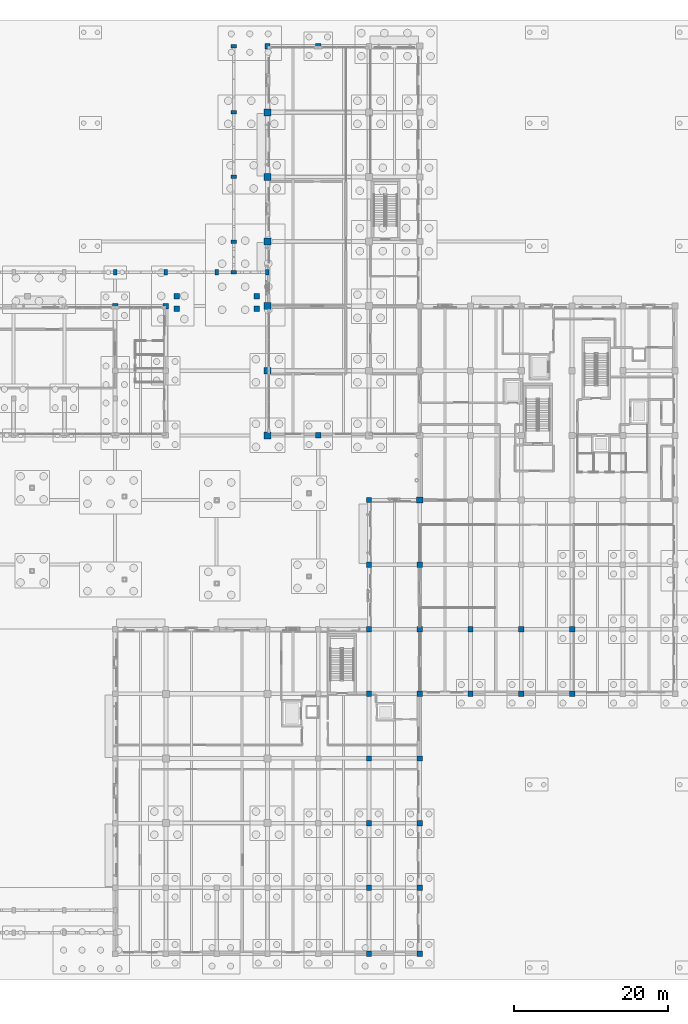
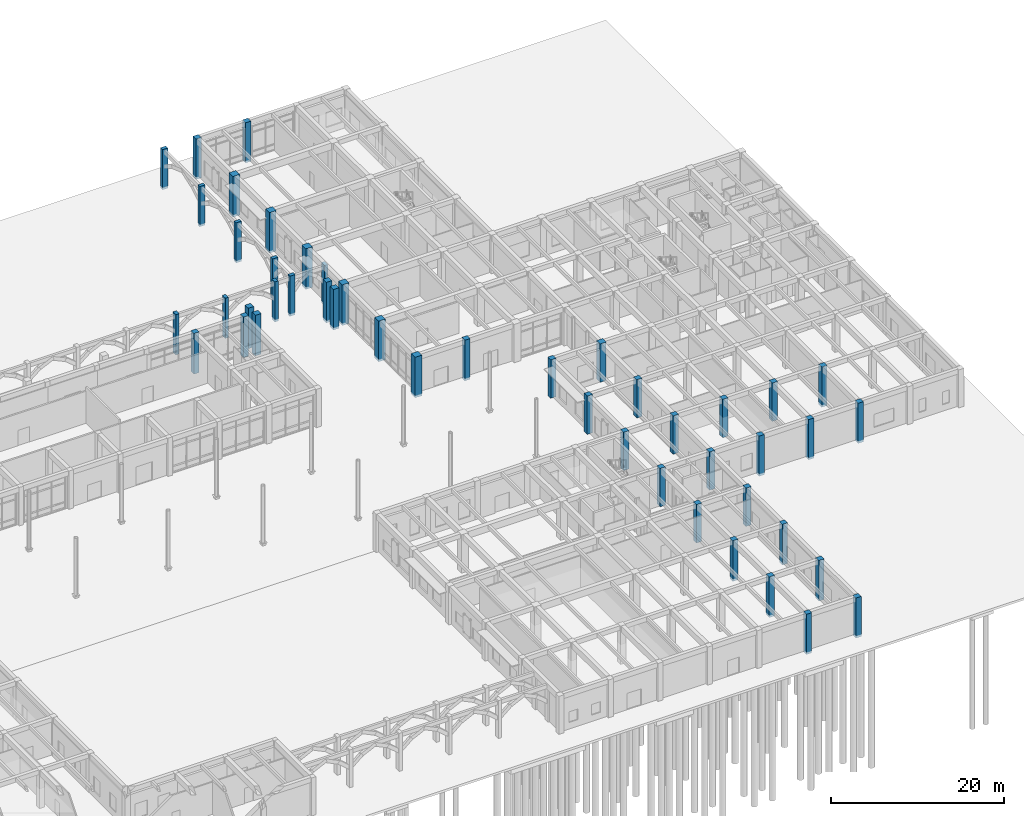
# One storey, part 17 of 82: 46 columns.
"""IFC4 building model written with IfcOpenShell, lengths in metres."""

from ifc_helpers import new_model, si_unit, direction, frame, origin, origin_2d, place, context, subcontext, project, spatial, rectangle, extrude, material, material_profile, profile_set, type_object, element, save


model = new_model("IFC4")

# Units and contexts
model_context = context("Model", 3, precision=1e-05, world=origin(), true_north=direction((0.0, 1.0)))
body_context = subcontext(model_context, "Body", "Model", "MODEL_VIEW")
ifc_project = project(units=[si_unit("LENGTHUNIT", "METRE"), si_unit("AREAUNIT", "SQUARE_METRE"), si_unit("VOLUMEUNIT", "CUBIC_METRE"), si_unit("PLANEANGLEUNIT", "RADIAN"), si_unit("MASSUNIT", "GRAM", prefix="KILO")], contexts=[model_context])

# Site, building, storey
site_placement = place(None, origin())
site = spatial("IfcSite", under=ifc_project, at=site_placement, CompositionType="ELEMENT")
building_placement = place(site_placement, origin())
building = spatial("IfcBuilding", under=site, at=building_placement, Name="Kolvaren Faculty of Natural Sciences", CompositionType="ELEMENT")
storey_placement = place(building_placement, origin())
storey = spatial("IfcBuildingStorey", under=building, at=storey_placement, Name="L00", CompositionType="ELEMENT", Elevation=0.0)

# Columns
ifc_material_1 = material(Name="Concrete C40/50", Category="concrete")
ifc_material_profile_1 = material_profile(ifc_material_1, rectangle(XDim=0.89990234375, YDim=0.89990234375, at=origin_2d()), Name="RC COL 900x900")
ifc_profile_set_1 = profile_set([ifc_material_profile_1], Name="Concrete C40/50")
column_type_1 = type_object("IfcColumnType", Name="MegaColumn_900x900", PredefinedType="COLUMN", material=ifc_profile_set_1)
for number, where, z_axis, x_axis, name in (
    (1, (119.0, 67.39990234375, -0.320068359375), (0.0, 0.0, 1.0), (1.0, 0.0, 0.0), "L00 column MC-1 at 19/J"),
    (2, (119.0, 75.800048828125, -0.320068359375), (0.0, 0.0, 1.0), (1.0, 0.0, 0.0), "L00 column MC-1 at 19/K"),
    (3, (119.0, 84.199951171875, -0.320068359375), (0.0, 0.0, 1.0), (1.0, 0.0, 0.0), "L00 column MC-1 at 19/L"),
    (4, (119.0, 92.60009765625, -0.320068359375), (0.0, 0.0, 1.0), (1.0, 0.0, 0.0), "L00 column MC-1 at 19/M"),
    (5, (119.0, 101.0, -0.320068359375), (0.0, 0.0, 1.0), (1.0, 0.0, 0.0), "L00 column MC-1 at 19/N"),
    (6, (119.0, 109.39990234375, -0.320068359375), (0.0, 0.0, 1.0), (1.0, 0.0, 0.0), "L00 column MC-1 at 19/P"),
):
    element("IfcColumn", number, at=place(storey_placement, frame(where, z_axis=z_axis, x_axis=x_axis)), inside=storey, type_object=column_type_1, Name=name, PredefinedType="COLUMN", context=body_context, shape_type="SweptSolid", body=[
        extrude(rectangle(XDim=0.89990234375, YDim=0.89990234375, at=origin_2d()), origin(), (0.0, 0.0, 1.0), 5.719970703125),
    ])
ifc_material_2 = material(Name="Concrete C35/45", Category="concrete")
ifc_material_profile_2 = material_profile(ifc_material_2, rectangle(XDim=0.449951171875, YDim=0.699951171875, at=origin_2d()), Name="RC PIL 450x700")
ifc_profile_set_2 = profile_set([ifc_material_profile_2], Name="Concrete C35/45")
column_type_2 = type_object("IfcColumnType", Name="RiwaqPilaster_450x700", PredefinedType="PILASTER", material=ifc_profile_set_2)
for number, where, z_axis, x_axis, name in (
    (7, (99.199951171875, 88.60009765625, -0.320068359375), (0.0, 0.0, 1.0), (1.0, 0.0, 0.0), "Riwaq colonnade pilaster PL-45 S-16"),
    (8, (105.800048828125, 88.60009765625, -0.320068359375), (0.0, 0.0, 1.0), (1.0, 0.0, 0.0), "Riwaq colonnade pilaster PL-45 S-17"),
    (9, (112.39990234375, 88.60009765625, -0.320068359375), (0.0, 0.0, 1.0), (1.0, 0.0, 0.0), "Riwaq colonnade pilaster PL-45 S-18"),
    (10, (119.0, 88.60009765625, -0.320068359375), (0.0, 0.0, 1.0), (1.0, 0.0, 0.0), "Riwaq colonnade pilaster PL-45 S-19"),
    (11, (114.60009765625, 88.60009765625, -0.320068359375), (0.0, 0.0, 1.0), (0.0, 1.0, 0.0), "Riwaq colonnade pilaster PL-45 E-COR"),
    (12, (114.60009765625, 92.60009765625, -0.320068359375), (0.0, 0.0, 1.0), (0.0, 1.0, 0.0), "Riwaq colonnade pilaster PL-45 E-M"),
    (13, (114.60009765625, 101.0, -0.320068359375), (0.0, 0.0, 1.0), (0.0, 1.0, 0.0), "Riwaq colonnade pilaster PL-45 E-N"),
    (14, (114.60009765625, 109.39990234375, -0.320068359375), (0.0, 0.0, 1.0), (0.0, 1.0, 0.0), "Riwaq colonnade pilaster PL-45 E-P"),
    (15, (114.60009765625, 118.0, -0.320068359375), (0.0, 0.0, 1.0), (0.0, 1.0, 0.0), "Riwaq colonnade pilaster PL-45 E-Q"),
):
    element("IfcColumn", number, at=place(storey_placement, frame(where, z_axis=z_axis, x_axis=x_axis)), inside=storey, type_object=column_type_2, Name=name, PredefinedType="PILASTER", context=body_context, shape_type="SweptSolid", body=[
        extrude(rectangle(XDim=0.449951171875, YDim=0.699951171875, at=origin_2d()), origin(), (0.0, 0.0, 1.0), 5.66015625),
    ])
ifc_material_profile_3 = material_profile(ifc_material_1, rectangle(XDim=0.75, YDim=0.75, at=origin_2d()), Name="RC COL 750x750")
ifc_profile_set_3 = profile_set([ifc_material_profile_3], Name="Concrete C40/50")
column_type_3 = type_object("IfcColumnType", Name="TowerColumn_750x750", PredefinedType="COLUMN", material=ifc_profile_set_3)
for number, where, z_axis, x_axis, name in (
    (16, (107.199951171875, 85.5, -0.320068359375), (0.0, 0.0, 1.0), (1.0, 0.0, 0.0), "North-East Square-to-Street Breezeway Pishtaq Portal monumental pier L (L00)"),
    (17, (117.60009765625, 85.5, -0.320068359375), (0.0, 0.0, 1.0), (1.0, 0.0, 0.0), "North-East Square-to-Street Breezeway Pishtaq Portal monumental pier R (L00)"),
    (18, (107.199951171875, 83.85009765625, -0.320068359375), (0.0, 0.0, 1.0), (1.0, 0.0, 0.0), "North-East Square-to-Street Breezeway Pishtaq Portal monumental pier LB (L00)"),
    (19, (117.60009765625, 83.85009765625, -0.320068359375), (0.0, 0.0, 1.0), (1.0, 0.0, 0.0), "North-East Square-to-Street Breezeway Pishtaq Portal monumental pier RB (L00)"),
):
    element("IfcColumn", number, at=place(storey_placement, frame(where, z_axis=z_axis, x_axis=x_axis)), inside=storey, type_object=column_type_3, Name=name, PredefinedType="COLUMN", context=body_context, shape_type="SweptSolid", body=[
        extrude(rectangle(XDim=0.75, YDim=0.75, at=origin_2d()), origin(), (0.0, 0.0, 1.0), 5.719970703125),
    ])
ifc_material_profile_4 = material_profile(ifc_material_1, rectangle(XDim=0.800048828125, YDim=0.800048828125, at=origin_2d()), Name="RC COL 800x800")
ifc_profile_set_4 = profile_set([ifc_material_profile_4], Name="Concrete C40/50")
column_type_4 = type_object("IfcColumnType", Name="TowerColumn_800x800", PredefinedType="COLUMN", material=ifc_profile_set_4)
column_1_placement = place(storey_placement, frame((138.800048828125, 59.0, 0.0), z_axis=(0.0, 0.0, 1.0), x_axis=(1.0, 0.0, 0.0)))
element("IfcColumn", 20, at=column_1_placement, inside=storey, type_object=column_type_4, Name="L00 column TC-80 at 22/H", PredefinedType="COLUMN", context=body_context, shape_type="SweptSolid", body=[
    extrude(rectangle(XDim=0.800048828125, YDim=0.800048828125, at=origin_2d()), origin(), (0.0, 0.0, 1.0), 5.39990234375),
])
ifc_material_profile_5 = material_profile(ifc_material_1, rectangle(XDim=0.699951171875, YDim=0.699951171875, at=origin_2d()), Name="RC COL 700x700")
ifc_profile_set_5 = profile_set([ifc_material_profile_5], Name="Concrete C40/50")
column_type_5 = type_object("IfcColumnType", Name="WingColumn_700x700", PredefinedType="COLUMN", material=ifc_profile_set_5)
for number, where, z_axis, x_axis, name in (
    (21, (99.199951171875, 84.199951171875, -0.320068359375), (0.0, 0.0, 1.0), (1.0, 0.0, 0.0), "L00 column WC-70 at 16/L"),
    (22, (105.800048828125, 84.199951171875, -0.320068359375), (0.0, 0.0, 1.0), (1.0, 0.0, 0.0), "L00 column WC-70 at 17/L"),
):
    element("IfcColumn", number, at=place(storey_placement, frame(where, z_axis=z_axis, x_axis=x_axis)), inside=storey, type_object=column_type_5, Name=name, PredefinedType="COLUMN", context=body_context, shape_type="SweptSolid", body=[
        extrude(rectangle(XDim=0.699951171875, YDim=0.699951171875, at=origin_2d()), origin(), (0.0, 0.0, 1.0), 5.719970703125),
    ])
column_2_placement = place(storey_placement, frame((119.0, 118.0, -0.320068359375), z_axis=(0.0, 0.0, 1.0), x_axis=(1.0, 0.0, 0.0)))
element("IfcColumn", 23, at=column_2_placement, inside=storey, type_object=column_type_5, Name="L00 column WC-70 at 19/Q", PredefinedType="COLUMN", context=body_context, shape_type="SweptSolid", body=[
    extrude(rectangle(XDim=0.699951171875, YDim=0.699951171875, at=origin_2d()), origin(), (0.0, 0.0, 1.0), 5.66015625),
])
column_3_placement = place(storey_placement, frame((125.60009765625, 67.39990234375, -0.320068359375), z_axis=(0.0, 0.0, 1.0), x_axis=(1.0, 0.0, 0.0)))
element("IfcColumn", 24, at=column_3_placement, inside=storey, type_object=column_type_5, Name="L00 column WC-70 at 20/J", PredefinedType="COLUMN", context=body_context, shape_type="SweptSolid", body=[
    extrude(rectangle(XDim=0.699951171875, YDim=0.699951171875, at=origin_2d()), origin(), (0.0, 0.0, 1.0), 5.719970703125),
])
for number, where, z_axis, x_axis, name in (
    (25, (125.60009765625, 118.0, -0.320068359375), (0.0, 0.0, 1.0), (1.0, 0.0, 0.0), "L00 column WC-70 at 20/Q"),
    (26, (132.199951171875, 0.0, -0.320068359375), (0.0, 0.0, 1.0), (1.0, 0.0, 0.0), "L00 column WC-70 at 21/A"),
):
    element("IfcColumn", number, at=place(storey_placement, frame(where, z_axis=z_axis, x_axis=x_axis)), inside=storey, type_object=column_type_5, Name=name, PredefinedType="COLUMN", context=body_context, shape_type="SweptSolid", body=[
        extrude(rectangle(XDim=0.699951171875, YDim=0.699951171875, at=origin_2d()), origin(), (0.0, 0.0, 1.0), 5.66015625),
    ])
for number, where, z_axis, x_axis, name in (
    (27, (132.199951171875, 8.60009765625, -0.320068359375), (0.0, 0.0, 1.0), (1.0, 0.0, 0.0), "L00 column WC-70 at 21/B"),
    (28, (132.199951171875, 17.0, -0.320068359375), (0.0, 0.0, 1.0), (1.0, 0.0, 0.0), "L00 column WC-70 at 21/C"),
):
    element("IfcColumn", number, at=place(storey_placement, frame(where, z_axis=z_axis, x_axis=x_axis)), inside=storey, type_object=column_type_5, Name=name, PredefinedType="COLUMN", context=body_context, shape_type="SweptSolid", body=[
        extrude(rectangle(XDim=0.699951171875, YDim=0.699951171875, at=origin_2d()), origin(), (0.0, 0.0, 1.0), 5.719970703125),
    ])
for number, where, z_axis, x_axis, name in (
    (29, (132.199951171875, 25.39990234375, 0.0), (0.0, 0.0, 1.0), (1.0, 0.0, 0.0), "L00 column WC-70 at 21/D"),
    (30, (132.199951171875, 33.800048828125, 0.0), (0.0, 0.0, 1.0), (1.0, 0.0, 0.0), "L00 column WC-70 at 21/E"),
    (31, (132.199951171875, 42.199951171875, 0.0), (0.0, 0.0, 1.0), (1.0, 0.0, 0.0), "L00 column WC-70 at 21/F"),
    (32, (132.199951171875, 50.60009765625, 0.0), (0.0, 0.0, 1.0), (1.0, 0.0, 0.0), "L00 column WC-70 at 21/G"),
    (33, (132.199951171875, 59.0, 0.0), (0.0, 0.0, 1.0), (1.0, 0.0, 0.0), "L00 column WC-70 at 21/H"),
):
    element("IfcColumn", number, at=place(storey_placement, frame(where, z_axis=z_axis, x_axis=x_axis)), inside=storey, type_object=column_type_5, Name=name, PredefinedType="COLUMN", context=body_context, shape_type="SweptSolid", body=[
        extrude(rectangle(XDim=0.699951171875, YDim=0.699951171875, at=origin_2d()), origin(), (0.0, 0.0, 1.0), 5.39990234375),
    ])
column_4_placement = place(storey_placement, frame((138.800048828125, 0.0, -0.320068359375), z_axis=(0.0, 0.0, 1.0), x_axis=(1.0, 0.0, 0.0)))
element("IfcColumn", 34, at=column_4_placement, inside=storey, type_object=column_type_5, Name="L00 column WC-70 at 22/A", PredefinedType="COLUMN", context=body_context, shape_type="SweptSolid", body=[
    extrude(rectangle(XDim=0.699951171875, YDim=0.699951171875, at=origin_2d()), origin(), (0.0, 0.0, 1.0), 5.66015625),
])
for number, where, z_axis, x_axis, name in (
    (35, (138.800048828125, 8.60009765625, -0.320068359375), (0.0, 0.0, 1.0), (1.0, 0.0, 0.0), "L00 column WC-70 at 22/B"),
    (36, (138.800048828125, 17.0, -0.320068359375), (0.0, 0.0, 1.0), (1.0, 0.0, 0.0), "L00 column WC-70 at 22/C"),
):
    element("IfcColumn", number, at=place(storey_placement, frame(where, z_axis=z_axis, x_axis=x_axis)), inside=storey, type_object=column_type_5, Name=name, PredefinedType="COLUMN", context=body_context, shape_type="SweptSolid", body=[
        extrude(rectangle(XDim=0.699951171875, YDim=0.699951171875, at=origin_2d()), origin(), (0.0, 0.0, 1.0), 5.719970703125),
    ])
for number, where, z_axis, x_axis, name in (
    (37, (138.800048828125, 25.39990234375, 0.0), (0.0, 0.0, 1.0), (1.0, 0.0, 0.0), "L00 column WC-70 at 22/D"),
    (38, (138.800048828125, 33.800048828125, 0.0), (0.0, 0.0, 1.0), (1.0, 0.0, 0.0), "L00 column WC-70 at 22/E"),
    (39, (138.800048828125, 42.199951171875, 0.0), (0.0, 0.0, 1.0), (1.0, 0.0, 0.0), "L00 column WC-70 at 22/F"),
    (40, (138.800048828125, 50.60009765625, 0.0), (0.0, 0.0, 1.0), (1.0, 0.0, 0.0), "L00 column WC-70 at 22/G"),
):
    element("IfcColumn", number, at=place(storey_placement, frame(where, z_axis=z_axis, x_axis=x_axis)), inside=storey, type_object=column_type_5, Name=name, PredefinedType="COLUMN", context=body_context, shape_type="SweptSolid", body=[
        extrude(rectangle(XDim=0.699951171875, YDim=0.699951171875, at=origin_2d()), origin(), (0.0, 0.0, 1.0), 5.39990234375),
    ])
column_5_placement = place(storey_placement, frame((145.39990234375, 33.800048828125, -0.320068359375), z_axis=(0.0, 0.0, 1.0), x_axis=(1.0, 0.0, 0.0)))
element("IfcColumn", 41, at=column_5_placement, inside=storey, type_object=column_type_5, Name="L00 column WC-70 at 23/E", PredefinedType="COLUMN", context=body_context, shape_type="SweptSolid", body=[
    extrude(rectangle(XDim=0.699951171875, YDim=0.699951171875, at=origin_2d()), origin(), (0.0, 0.0, 1.0), 5.66015625),
])
column_6_placement = place(storey_placement, frame((145.39990234375, 42.199951171875, 0.0), z_axis=(0.0, 0.0, 1.0), x_axis=(1.0, 0.0, 0.0)))
element("IfcColumn", 42, at=column_6_placement, inside=storey, type_object=column_type_5, Name="L00 column WC-70 at 23/F", PredefinedType="COLUMN", context=body_context, shape_type="SweptSolid", body=[
    extrude(rectangle(XDim=0.699951171875, YDim=0.699951171875, at=origin_2d()), origin(), (0.0, 0.0, 1.0), 5.39990234375),
])
column_7_placement = place(storey_placement, frame((152.0, 33.800048828125, -0.320068359375), z_axis=(0.0, 0.0, 1.0), x_axis=(1.0, 0.0, 0.0)))
element("IfcColumn", 43, at=column_7_placement, inside=storey, type_object=column_type_5, Name="L00 column WC-70 at 24/E", PredefinedType="COLUMN", context=body_context, shape_type="SweptSolid", body=[
    extrude(rectangle(XDim=0.699951171875, YDim=0.699951171875, at=origin_2d()), origin(), (0.0, 0.0, 1.0), 5.66015625),
])
column_8_placement = place(storey_placement, frame((152.0, 42.199951171875, 0.0), z_axis=(0.0, 0.0, 1.0), x_axis=(1.0, 0.0, 0.0)))
element("IfcColumn", 44, at=column_8_placement, inside=storey, type_object=column_type_5, Name="L00 column WC-70 at 24/F", PredefinedType="COLUMN", context=body_context, shape_type="SweptSolid", body=[
    extrude(rectangle(XDim=0.699951171875, YDim=0.699951171875, at=origin_2d()), origin(), (0.0, 0.0, 1.0), 5.39990234375),
])
for number, where, z_axis, x_axis, name in (
    (45, (158.60009765625, 33.800048828125, -0.320068359375), (0.0, 0.0, 1.0), (1.0, 0.0, 0.0), "L00 column WC-70 at 25/E"),
    (46, (158.60009765625, 42.199951171875, -0.320068359375), (0.0, 0.0, 1.0), (1.0, 0.0, 0.0), "L00 column WC-70 at 25/F"),
):
    element("IfcColumn", number, at=place(storey_placement, frame(where, z_axis=z_axis, x_axis=x_axis)), inside=storey, type_object=column_type_5, Name=name, PredefinedType="COLUMN", context=body_context, shape_type="SweptSolid", body=[
        extrude(rectangle(XDim=0.699951171875, YDim=0.699951171875, at=origin_2d()), origin(), (0.0, 0.0, 1.0), 5.66015625),
    ])

save(model, "model.ifc")
